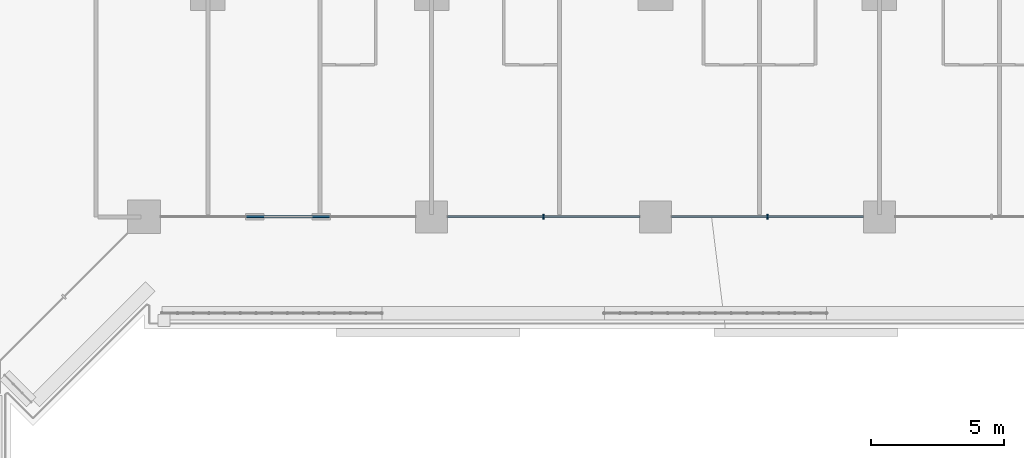
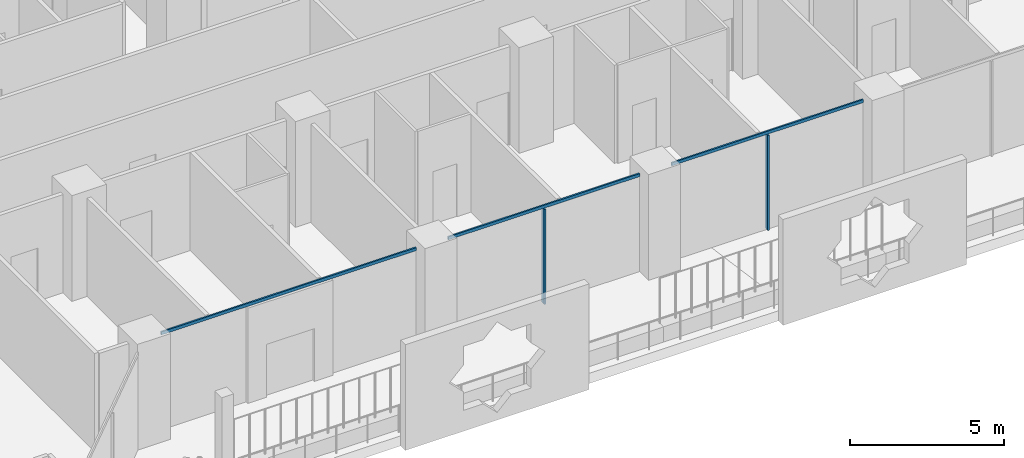
# One storey, part 6 of 28: 5 members, 1 element without a shape of its own.
"""IFC4 building model written with IfcOpenShell, lengths in metres."""

from ifc_helpers import new_model, si_unit, direction, frame, origin, origin_2d, place, context, subcontext, project, spatial, rectangle, extrude, material, layer, layer_set, material_profile, profile_set, type_object, element, aggregate, save


model = new_model("IFC4")

# Units and contexts
model_context = context("Model", 3, precision=1e-05, world=origin(), true_north=direction((0.0, 1.0)))
body_context = subcontext(model_context, "Body", "Model", "MODEL_VIEW")
ifc_project = project(units=[si_unit("LENGTHUNIT", "METRE"), si_unit("AREAUNIT", "SQUARE_METRE"), si_unit("VOLUMEUNIT", "CUBIC_METRE"), si_unit("PLANEANGLEUNIT", "RADIAN"), si_unit("MASSUNIT", "GRAM", prefix="KILO")], contexts=[model_context])

# Site, building, storey
site_placement = place(None, origin())
site = spatial("IfcSite", under=ifc_project, at=site_placement, CompositionType="ELEMENT")
building_placement = place(site_placement, origin())
building = spatial("IfcBuilding", under=site, at=building_placement, Name="Kawkab Arch Medical Tower", CompositionType="ELEMENT")
storey_placement = place(building_placement, frame((0.0, 0.0, 77.0)))
storey = spatial("IfcBuildingStorey", under=building, at=storey_placement, Name="L17", CompositionType="ELEMENT", Elevation=77.0)

# Curtain wall, members
ifc_material_1 = material(Name="Bronze anodised aluminium curtain wall frame", Category="aluminium")
ifc_layer = layer(ifc_material_1, 0.159912109375)
ifc_layer_set = layer_set([ifc_layer], Name="Bronze anodised aluminium curtain wall frame")
curtain_wall_type = type_object("IfcCurtainWallType", Name="CW1 ward curtain wall", PredefinedType="NOTDEFINED", material=ifc_layer_set)
curtain_wall_placement = place(storey_placement, origin())
curtain_wall = element("IfcCurtainWall", 1, at=curtain_wall_placement, inside=storey, type_object=curtain_wall_type, Name="CW1 Ward curtain wall R07", PredefinedType="NOTDEFINED")
ifc_material_2 = material(Name="Bronze anodised aluminium curtain wall frame", Category="aluminium")
ifc_material_profile_1 = material_profile(ifc_material_2, rectangle(XDim=0.179931640625, YDim=0.06005859375, at=origin_2d()), Name="AL 60x180")
ifc_profile_set_1 = profile_set([ifc_material_profile_1], Name="Bronze anodised aluminium curtain wall frame")
member_type_1 = type_object("IfcMemberType", Name="CW1 mullion 60 x 180", PredefinedType="MULLION", material=ifc_profile_set_1)
member_1_placement = place(storey_placement, frame((46.199951171875, -25.199951171875, 0.0), z_axis=(0.0, 0.0, 1.0), x_axis=(0.0, 1.0, 0.0)))
member_1 = element("IfcMember", 2, at=member_1_placement, type_object=member_type_1, Name="CW1 mullion 2.1", PredefinedType="MULLION", context=body_context, shape_type="SweptSolid", body=[
    extrude(rectangle(XDim=0.179931640625, YDim=0.06005859375, at=origin_2d()), origin(), (0.0, 0.0, 1.0), 3.780029296875),
])
member_2_placement = place(storey_placement, frame((54.60009765625, -25.199951171875, 0.0), z_axis=(0.0, 0.0, 1.0), x_axis=(0.0, 1.0, 0.0)))
member_2 = element("IfcMember", 3, at=member_2_placement, type_object=member_type_1, Name="CW1 mullion 3.1", PredefinedType="MULLION", context=body_context, shape_type="SweptSolid", body=[
    extrude(rectangle(XDim=0.179931640625, YDim=0.06005859375, at=origin_2d()), origin(), (0.0, 0.0, 1.0), 3.780029296875),
])
ifc_material_3 = material(Name="Bronze anodised aluminium curtain wall frame", Category="aluminium")
ifc_material_profile_2 = material_profile(ifc_material_3, rectangle(XDim=0.06005859375, YDim=0.1201171875, at=origin_2d()), Name="AL 60x120")
ifc_profile_set_2 = profile_set([ifc_material_profile_2], Name="Bronze anodised aluminium curtain wall frame")
member_type_2 = type_object("IfcMemberType", Name="CW1 transom 120 x 60", PredefinedType="USERDEFINED", material=ifc_profile_set_2)
member_3_placement = place(storey_placement, frame((31.824951171875, -25.199951171875, 3.840087890625), z_axis=(1.0, 0.0, 0.0), x_axis=(0.0, 1.0, 0.0)))
member_3 = element("IfcMember", 4, at=member_3_placement, type_object=member_type_2, Name="CW1 transom 1", ObjectType="TRANSOM", PredefinedType="USERDEFINED", context=body_context, shape_type="SweptSolid", body=[
    extrude(rectangle(XDim=0.06005859375, YDim=0.1201171875, at=origin_2d()), origin(), (0.0, 0.0, 1.0), 9.574951171875),
])
member_4_placement = place(storey_placement, frame((42.60009765625, -25.199951171875, 3.840087890625), z_axis=(1.0, 0.0, 0.0), x_axis=(0.0, 1.0, 0.0)))
member_4 = element("IfcMember", 5, at=member_4_placement, type_object=member_type_2, Name="CW1 transom 2", ObjectType="TRANSOM", PredefinedType="USERDEFINED", context=body_context, shape_type="SweptSolid", body=[
    extrude(rectangle(XDim=0.06005859375, YDim=0.1201171875, at=origin_2d()), origin(), (0.0, 0.0, 1.0), 7.199951171875),
])
member_5_placement = place(storey_placement, frame((51.0, -25.199951171875, 3.840087890625), z_axis=(1.0, 0.0, 0.0), x_axis=(0.0, 1.0, 0.0)))
member_5 = element("IfcMember", 6, at=member_5_placement, type_object=member_type_2, Name="CW1 transom 3", ObjectType="TRANSOM", PredefinedType="USERDEFINED", context=body_context, shape_type="SweptSolid", body=[
    extrude(rectangle(XDim=0.06005859375, YDim=0.1201171875, at=origin_2d()), origin(), (0.0, 0.0, 1.0), 7.199951171875),
])
aggregate(curtain_wall, [member_3, member_4, member_1, member_5, member_2])

save(model, "model.ifc")
